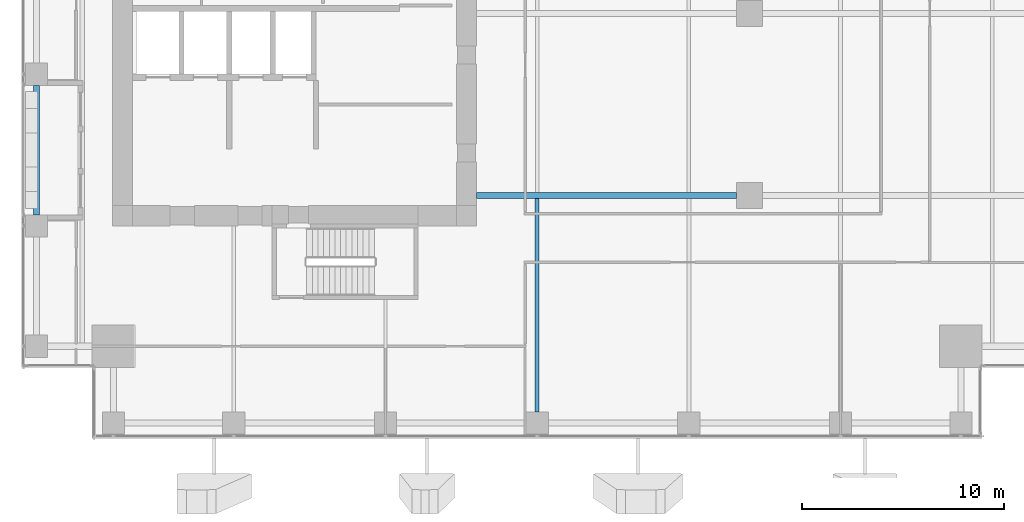
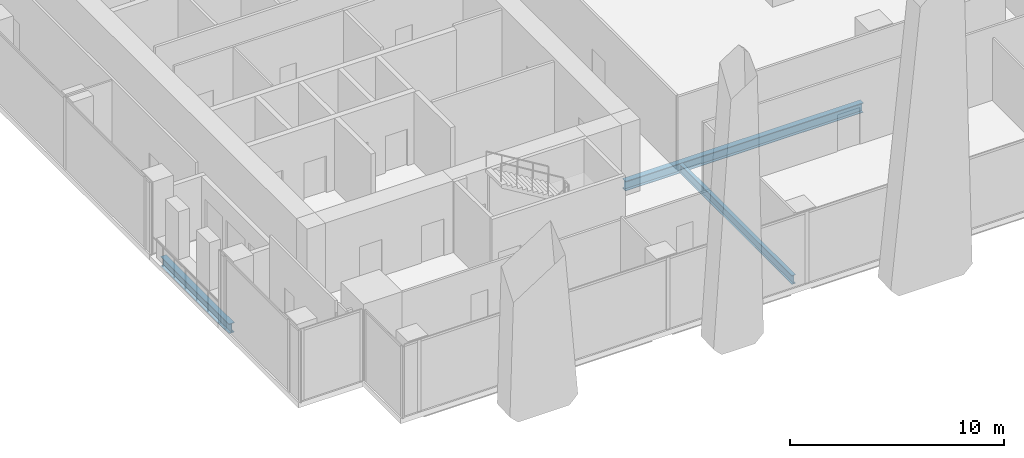
# One storey, part 6 of 35: 3 beams.
"""IFC4 building model written with IfcOpenShell, lengths in metres."""

from ifc_helpers import new_model, si_unit, direction, frame, origin, origin_2d, place, context, subcontext, project, spatial, i_section, extrude, source, transform, mapped, material, material_profile, profile_set, type_object, element, save


model = new_model("IFC4")

# Units and contexts
model_context = context("Model", 3, precision=1e-05, world=origin(), true_north=direction((0.0, 1.0)))
body_context = subcontext(model_context, "Body", "Model", "MODEL_VIEW")
ifc_project = project(units=[si_unit("LENGTHUNIT", "METRE"), si_unit("AREAUNIT", "SQUARE_METRE"), si_unit("VOLUMEUNIT", "CUBIC_METRE"), si_unit("PLANEANGLEUNIT", "RADIAN"), si_unit("MASSUNIT", "GRAM", prefix="KILO")], contexts=[model_context])

# Site, building, storey
site_placement = place(None, origin())
site = spatial("IfcSite", under=ifc_project, at=site_placement, CompositionType="ELEMENT")
building_placement = place(site_placement, origin())
building = spatial("IfcBuilding", under=site, at=building_placement, Name="Khomas Fold Tower", CompositionType="ELEMENT")
storey_placement = place(building_placement, frame((0.0, 0.0, 119.10009765625)))
storey = spatial("IfcBuildingStorey", under=building, at=storey_placement, Name="L25", CompositionType="ELEMENT", Elevation=119.10009765625)

# Beams
ifc_material_1 = material(Name="Steel S355", Category="steel")
ifc_material_profile_1 = material_profile(ifc_material_1, i_section(OverallWidth=0.300048828125, OverallDepth=0.550048828125, WebThickness=0.014892578125, FlangeThickness=0.029052734375, at=origin_2d()), Name="HE 550 B")
ifc_profile_set_1 = profile_set([ifc_material_profile_1], Name="Steel S355")
beam_type_1 = type_object("IfcBeamType", Name="HE 550 B spandrel SB2", PredefinedType="SPANDREL", material=ifc_profile_set_1)
shared_shape_1 = source(origin(), body_context, "Body", "SweptSolid", [
    extrude(i_section(OverallWidth=0.300048828125, OverallDepth=0.550048828125, WebThickness=0.014892578125, FlangeThickness=0.029052734375, at=origin_2d()), origin(), (0.0, 0.0, 1.0), 6.39990234375),
])
beam_1_placement = place(storey_placement, frame((2.25, 12.550048828125, -0.5751953125), z_axis=(0.0, 1.0, 0.0), x_axis=(-1.0, 0.0, 0.0)))
element("IfcBeam", 1, at=beam_1_placement, inside=storey, type_object=beam_type_1, Name="SB2", PredefinedType="SPANDREL", context=body_context, shape_type="MappedRepresentation", body=[
    mapped(shared_shape_1, transform((0.0, 0.0, 0.0))),
])
ifc_material_2 = material(Name="Steel S355", Category="steel")
ifc_material_profile_2 = material_profile(ifc_material_2, i_section(OverallWidth=0.300048828125, OverallDepth=0.550048828125, WebThickness=0.014892578125, FlangeThickness=0.029052734375, at=origin_2d()), Name="HE 550 B")
ifc_profile_set_2 = profile_set([ifc_material_profile_2], Name="Steel S355")
beam_type_2 = type_object("IfcBeamType", Name="HE 550 B beam GB4", PredefinedType="BEAM", material=ifc_profile_set_2)
shared_shape_2 = source(origin(), body_context, "Body", "SweptSolid", [
    extrude(i_section(OverallWidth=0.300048828125, OverallDepth=0.550048828125, WebThickness=0.014892578125, FlangeThickness=0.029052734375, at=origin_2d()), origin(), (0.0, 0.0, 1.0), 12.85009765625),
])
beam_2_placement = place(storey_placement, frame((24.0, 13.5, -0.5751953125), z_axis=(1.0, 0.0, 0.0), x_axis=(0.0, 1.0, 0.0)))
element("IfcBeam", 2, at=beam_2_placement, inside=storey, type_object=beam_type_2, Name="GB4", PredefinedType="BEAM", context=body_context, shape_type="MappedRepresentation", body=[
    mapped(shared_shape_2, transform((0.0, 0.0, 0.0))),
])
ifc_material_3 = material(Name="Steel S355", Category="steel")
ifc_material_profile_3 = material_profile(ifc_material_3, i_section(OverallWidth=0.199951171875, OverallDepth=0.5, WebThickness=0.01025390625, FlangeThickness=0.01611328125, at=origin_2d()), Name="IPE 500")
ifc_profile_set_3 = profile_set([ifc_material_profile_3], Name="Steel S355")
beam_type_3 = type_object("IfcBeamType", Name="IPE 500 beam JB5", PredefinedType="BEAM", material=ifc_profile_set_3)
shared_shape_3 = source(origin(), body_context, "Body", "SweptSolid", [
    extrude(i_section(OverallWidth=0.199951171875, OverallDepth=0.5, WebThickness=0.01025390625, FlangeThickness=0.01611328125, at=origin_2d()), origin(), (0.0, 0.0, 1.0), 10.550048828125),
])
beam_3_placement = place(storey_placement, frame((27.0, 2.800048828125, -0.550048828125), z_axis=(0.0, 1.0, 0.0), x_axis=(-1.0, 0.0, 0.0)))
element("IfcBeam", 3, at=beam_3_placement, inside=storey, type_object=beam_type_3, Name="JB5", PredefinedType="BEAM", context=body_context, shape_type="MappedRepresentation", body=[
    mapped(shared_shape_3, transform((0.0, 0.0, 0.0))),
])

save(model, "model.ifc")
